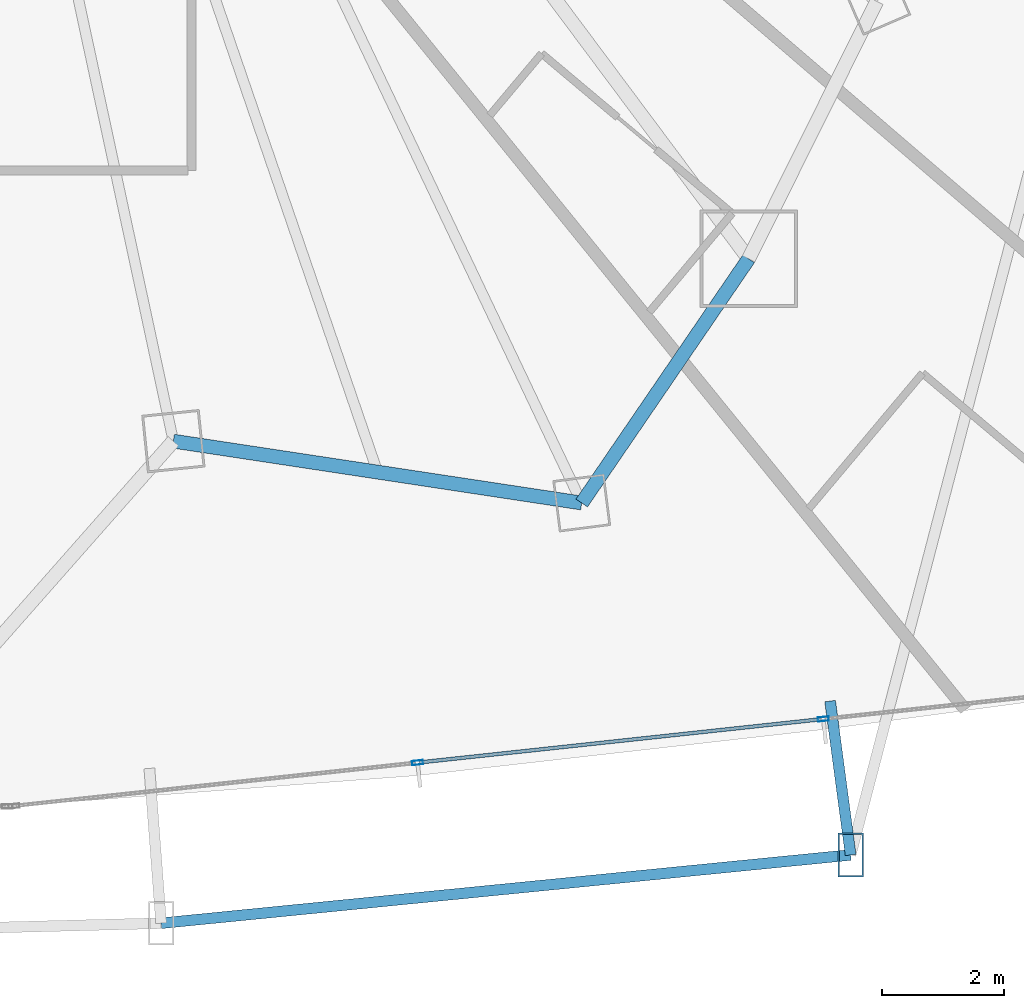
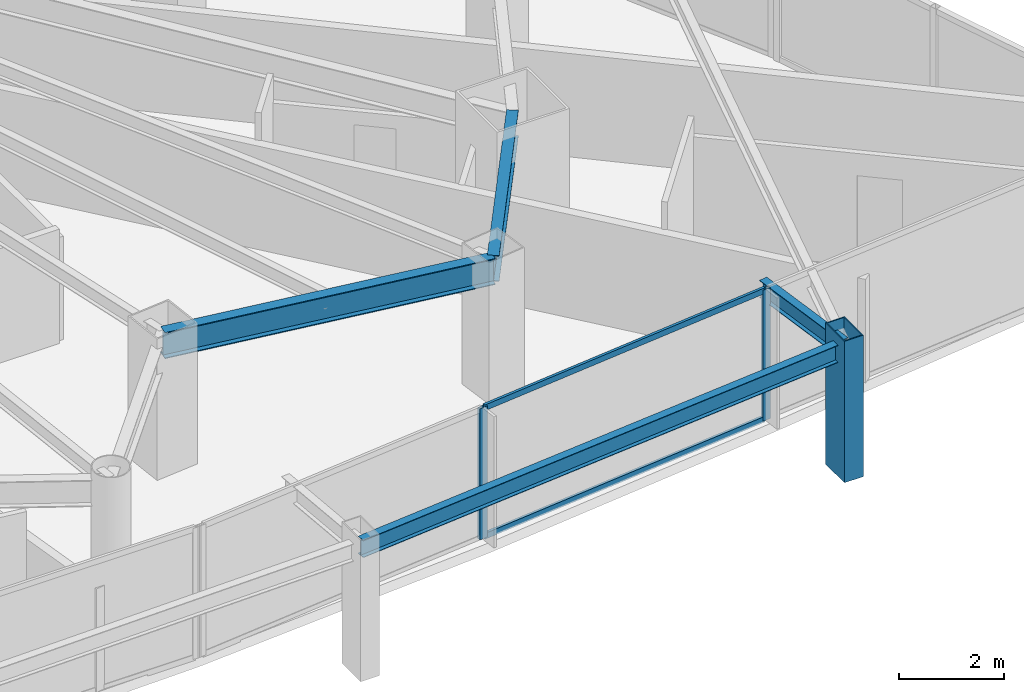
# One storey, part 13 of 35: 5 members, 4 beams, 1 element without a shape of its own.
"""IFC4 building model written with IfcOpenShell, lengths in metres."""

from ifc_helpers import new_model, si_unit, direction, frame, origin, origin_2d, place, context, subcontext, project, spatial, hollow_rectangle, i_section, extrude, material, layer, layer_set, material_profile, profile_set, type_object, element, aggregate, save


model = new_model("IFC4")

# Units and contexts
model_context = context("Model", 3, precision=1e-05, world=origin(), true_north=direction((0.0, 1.0)))
body_context = subcontext(model_context, "Body", "Model", "MODEL_VIEW")
ifc_project = project(units=[si_unit("LENGTHUNIT", "METRE"), si_unit("AREAUNIT", "SQUARE_METRE"), si_unit("VOLUMEUNIT", "CUBIC_METRE"), si_unit("PLANEANGLEUNIT", "RADIAN"), si_unit("MASSUNIT", "GRAM", prefix="KILO")], contexts=[model_context])

# Site, building, storey
site_placement = place(None, origin())
site = spatial("IfcSite", under=ifc_project, at=site_placement, CompositionType="ELEMENT")
building_placement = place(site_placement, origin())
building = spatial("IfcBuilding", under=site, at=building_placement, Name="Orvanel Arch Residences", CompositionType="ELEMENT")
storey_placement = place(building_placement, frame((0.0, 0.0, 33.5)))
storey = spatial("IfcBuildingStorey", under=building, at=storey_placement, Name="L08", CompositionType="ELEMENT", Elevation=33.5)

# Member
ifc_material_1 = material(Name="Structural steel AS/NZS 3678 Grade 350", Category="steel")
ifc_material_profile_1 = material_profile(ifc_material_1, hollow_rectangle(XDim=0.419921875, YDim=0.719970703125, WallThickness=0.02490234375, at=origin_2d()), Name="RHS720x420x25")
ifc_profile_set_1 = profile_set([ifc_material_profile_1], Name="Structural steel AS/NZS 3678 Grade 350")
member_type_1 = type_object("IfcMemberType", Name="CH-720RHS-EXT", PredefinedType="CHORD", material=ifc_profile_set_1)
member_1_placement = place(storey_placement, frame((53.47607421875, 0.55810546875, 0.0), z_axis=(0.0, 0.0, 1.0), x_axis=(1.0, 0.0, 0.0)))
element("IfcMember", 1, at=member_1_placement, inside=storey, type_object=member_type_1, Name="L08 Outer Perimeter Frame Post 08", PredefinedType="CHORD", context=body_context, shape_type="SweptSolid", body=[
    extrude(hollow_rectangle(XDim=0.419921875, YDim=0.719970703125, WallThickness=0.02490234375, at=origin_2d()), origin(), (0.0, 0.0, 1.0), 3.300048828125),
])

# Curtain wall, members
ifc_material_2 = material(Name="Bronze-anodised aluminium AA6063-T6", Category="aluminium")
ifc_layer = layer(ifc_material_2, 0.179931640625)
ifc_layer_set = layer_set([ifc_layer], Name="Bronze-anodised aluminium AA6063-T6")
curtain_wall_type = type_object("IfcCurtainWallType", Name="CW2-LOW-SYS", PredefinedType="NOTDEFINED", material=ifc_layer_set)
curtain_wall_placement = place(storey_placement, origin())
curtain_wall = element("IfcCurtainWall", 2, at=curtain_wall_placement, inside=storey, type_object=curtain_wall_type, Name="L08 CW2-LOW-SYS Unitised Curtain Wall", PredefinedType="NOTDEFINED")
ifc_material_profile_2 = material_profile(ifc_material_2, hollow_rectangle(XDim=0.070068359375, YDim=0.179931640625, WallThickness=0.00439453125, at=origin_2d()), Name="ALU180x70x4.5")
ifc_profile_set_2 = profile_set([ifc_material_profile_2], Name="Bronze-anodised aluminium AA6063-T6")
member_type_2 = type_object("IfcMemberType", Name="MUL-180x70", PredefinedType="MULLION", material=ifc_profile_set_2)
member_2_placement = place(storey_placement, frame((46.3623046875, 2.07470703125, 0.0), z_axis=(0.0, 0.0, 1.0), x_axis=(-0.106921178668, 0.994267499998, 0.0)))
member_2 = element("IfcMember", 3, at=member_2_placement, type_object=member_type_2, Name="CW-S2 mullion 2", PredefinedType="MULLION", context=body_context, shape_type="SweptSolid", body=[
    extrude(hollow_rectangle(XDim=0.070068359375, YDim=0.179931640625, WallThickness=0.00439453125, at=origin_2d()), origin(), (0.0, 0.0, 1.0), 3.06005859375),
])
member_3_placement = place(storey_placement, frame((53.026611328125, 2.791259765625, 0.0), z_axis=(0.0, 0.0, 1.0), x_axis=(-0.106921178668, 0.994267499998, 0.0)))
member_3 = element("IfcMember", 4, at=member_3_placement, type_object=member_type_2, Name="CW-S2 mullion 3", PredefinedType="MULLION", context=body_context, shape_type="SweptSolid", body=[
    extrude(hollow_rectangle(XDim=0.070068359375, YDim=0.179931640625, WallThickness=0.00439453125, at=origin_2d()), origin(), (0.0, 0.0, 1.0), 3.06005859375),
])

# Beams
ifc_material_3 = material(Name="Structural steel AS/NZS 3679.1 Grade 300 (300 MPa)", Category="steel")
ifc_material_profile_3 = material_profile(ifc_material_3, i_section(OverallWidth=0.177978515625, OverallDepth=0.406005859375, WebThickness=0.0078125, FlangeThickness=0.0126953125, at=origin_2d()), Name="410UB59.7")
ifc_profile_set_3 = profile_set([ifc_material_profile_3], Name="Structural steel AS/NZS 3679.1 Grade 300 (300 MPa)")
beam_type_1 = type_object("IfcBeamType", Name="OB-410UB-EXT", PredefinedType="SPANDREL", material=ifc_profile_set_3)
beam_1_placement = place(storey_placement, frame((42.14990234375, -0.56298828125, 2.85693359375), z_axis=(0.995136929714, 0.098501223945, 0.0), x_axis=(-0.098501223945, 0.995136929714, 0.0)))
element("IfcBeam", 5, at=beam_1_placement, inside=storey, type_object=beam_type_1, Name="L08 Outer Perimeter Floor Ring Beam 07", PredefinedType="SPANDREL", context=body_context, shape_type="SweptSolid", body=[
    extrude(i_section(OverallWidth=0.177978515625, OverallDepth=0.406005859375, WebThickness=0.0078125, FlangeThickness=0.0126953125, at=origin_2d()), origin(), (0.0, 0.0, 1.0), 11.381591796875),
])
beam_2_placement = place(storey_placement, frame((53.138916015625, 3.0859375, 2.85693359375), z_axis=(0.132207615119, -0.991222047023, 0.0), x_axis=(0.991222047023, 0.132207615119, 0.0)))
element("IfcBeam", 6, at=beam_2_placement, inside=storey, type_object=beam_type_1, Name="L08 Outer Frame Radial Tie Beam 08", PredefinedType="SPANDREL", context=body_context, shape_type="SweptSolid", body=[
    extrude(i_section(OverallWidth=0.177978515625, OverallDepth=0.406005859375, WebThickness=0.0078125, FlangeThickness=0.0126953125, at=origin_2d()), origin(), (0.0, 0.0, 1.0), 2.55029296875),
])
ifc_material_profile_4 = material_profile(ifc_material_3, i_section(OverallWidth=0.22900390625, OverallDepth=0.612060546875, WebThickness=0.011962890625, FlangeThickness=0.01953125, at=origin_2d()), Name="610UB125")
ifc_profile_set_4 = profile_set([ifc_material_profile_4], Name="Structural steel AS/NZS 3679.1 Grade 300 (300 MPa)")
beam_type_2 = type_object("IfcBeamType", Name="SP-610UB", PredefinedType="SPANDREL", material=ifc_profile_set_4)
beam_3_placement = place(storey_placement, frame((42.35107421875, 7.35498046875, 2.75390625), z_axis=(0.988726323014, -0.149733958002, 0.0), x_axis=(0.149733958002, 0.988726323014, 0.0)))
element("IfcBeam", 7, at=beam_3_placement, inside=storey, type_object=beam_type_2, Name="L08 Perimeter Spandrel Beam 09", PredefinedType="SPANDREL", context=body_context, shape_type="SweptSolid", body=[
    extrude(i_section(OverallWidth=0.22900390625, OverallDepth=0.612060546875, WebThickness=0.011962890625, FlangeThickness=0.01953125, at=origin_2d()), origin(), (0.0, 0.0, 1.0), 6.784423828125),
])
beam_4_placement = place(storey_placement, frame((49.05908203125, 6.339111328125, 2.75390625), z_axis=(0.564251579852, 0.825602903722, 0.0), x_axis=(-0.825602903722, 0.564251579852, 0.0)))
element("IfcBeam", 8, at=beam_4_placement, inside=storey, type_object=beam_type_2, Name="L08 Perimeter Spandrel Beam 10", PredefinedType="SPANDREL", context=body_context, shape_type="SweptSolid", body=[
    extrude(i_section(OverallWidth=0.22900390625, OverallDepth=0.612060546875, WebThickness=0.011962890625, FlangeThickness=0.01953125, at=origin_2d()), origin(), (0.0, 0.0, 1.0), 4.859375),
])

# Member
ifc_material_profile_5 = material_profile(ifc_material_2, hollow_rectangle(XDim=0.06005859375, YDim=0.135009765625, WallThickness=0.00390625, at=origin_2d()), Name="ALU135x60x4")
ifc_profile_set_5 = profile_set([ifc_material_profile_5], Name="Bronze-anodised aluminium AA6063-T6")
member_type_3 = type_object("IfcMemberType", Name="TRN-135x60", PredefinedType="USERDEFINED", material=ifc_profile_set_5)
member_4_placement = place(storey_placement, frame((46.397216796875, 2.078369140625, 0.030029296875), z_axis=(0.994266743516, 0.106928213013, 0.0), x_axis=(-0.106928213013, 0.994266743516, 0.0)))
member_4 = element("IfcMember", 9, at=member_4_placement, type_object=member_type_3, Name="CW-S2 transom 2.1", ObjectType="TRANSOM", PredefinedType="USERDEFINED", context=body_context, shape_type="SweptSolid", body=[
    extrude(hollow_rectangle(XDim=0.06005859375, YDim=0.135009765625, WallThickness=0.00390625, at=origin_2d()), origin(), (0.0, 0.0, 1.0), 6.6328125),
])

member_5_placement = place(storey_placement, frame((46.397216796875, 2.078369140625, 3.030029296875), z_axis=(0.994266743516, 0.106928213013, 0.0), x_axis=(-0.106928213013, 0.994266743516, 0.0)))
member_5 = element("IfcMember", 10, at=member_5_placement, type_object=member_type_3, Name="CW-S2 transom 2.2", ObjectType="TRANSOM", PredefinedType="USERDEFINED", context=body_context, shape_type="SweptSolid", body=[
    extrude(hollow_rectangle(XDim=0.06005859375, YDim=0.135009765625, WallThickness=0.00390625, at=origin_2d()), origin(), (0.0, 0.0, 1.0), 6.6328125),
])

aggregate(curtain_wall, [member_2, member_3, member_4, member_5])

save(model, "model.ifc")
